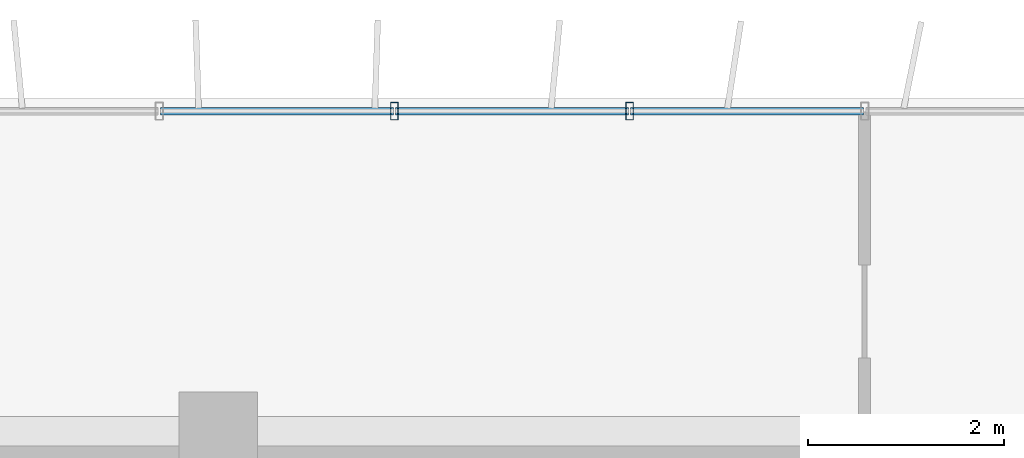
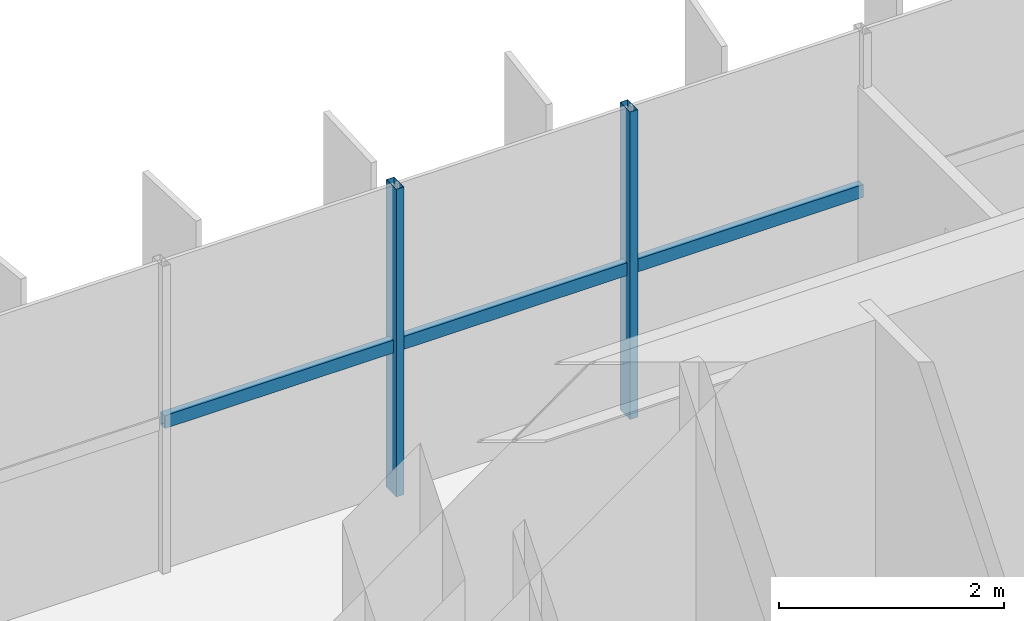
# One storey, part 7 of 22: 5 members, 1 element without a shape of its own.
"""IFC4 building model written with IfcOpenShell, lengths in metres."""

import ifcopenshell
import ifcopenshell.guid

model = None  # the IFC model being written
_history = None  # IfcOwnerHistory: only IFC2X3 demands one
_inside = {}  # id of a spatial element -> (the spatial element, [elements in it])
_under = {}  # id of a project, library or spatial element -> (it, [spatial elements below it])
_declared = {}  # id of a project -> (the project, [libraries it declares])
_typed = {}  # id of a type object -> (the type object, [elements of that type])
_made_of = {}  # id of a material, layer set ... -> (it, [elements and type objects made of it])


def new_model(schema):
    """Start an empty IFC model of exactly this schema.

    Asked for "IFC4X3", IfcOpenShell would pick the latest addendum, in which some entities
    have other attributes; the version numbers below select the first issue.
    IFC2X3 requires an IfcOwnerHistory on every rooted entity: one is made here for all.
    """
    global model, _history
    if schema == "IFC4X3":
        model = ifcopenshell.file(schema_version=(4, 3, 0, 0))
    else:
        model = ifcopenshell.file(schema=schema)
    _inside.clear()
    _under.clear()
    _declared.clear()
    _typed.clear()
    _made_of.clear()
    _history = None
    if model.schema == "IFC2X3":
        org = make("IfcOrganization", Name="unknown")
        user = make(
            "IfcPersonAndOrganization",
            ThePerson=make("IfcPerson", FamilyName="unknown"),
            TheOrganization=org,
        )
        app = make(
            "IfcApplication",
            ApplicationDeveloper=org,
            Version="unknown",
            ApplicationFullName="unknown",
            ApplicationIdentifier="unknown",
        )
        _history = make(
            "IfcOwnerHistory",
            OwningUser=user,
            OwningApplication=app,
            ChangeAction="ADDED",
            CreationDate=0,
        )
    return model


def make(cls, **values):
    """One entity of the class cls with the attributes given. An attribute that is None is left unset."""
    return model.create_entity(
        cls, **{name: value for name, value in values.items() if value is not None}
    )


def rooted(cls, **values):
    """An entity with a GlobalId (a new one), such as an element, a storey or a relation."""
    return make(cls, GlobalId=ifcopenshell.guid.new(), OwnerHistory=_history, **values)


def si_unit(unit_type, name, prefix=None):
    """IfcSIUnit, for example si_unit("LENGTHUNIT", "METRE", prefix="MILLI")."""
    return make("IfcSIUnit", UnitType=unit_type, Prefix=prefix, Name=name)


def assignment(units):
    """IfcUnitAssignment: the units of a project."""
    return None if units is None else make("IfcUnitAssignment", Units=units)


def point(xyz):
    """IfcCartesianPoint."""
    return None if xyz is None else make("IfcCartesianPoint", Coordinates=xyz)


def direction(xyz):
    """IfcDirection."""
    return None if xyz is None else make("IfcDirection", DirectionRatios=xyz)


def frame(location, z_axis=None, x_axis=None):
    """IfcAxis2Placement3D, a coordinate frame: its origin and axes. An axis left out is left unset."""
    return make(
        "IfcAxis2Placement3D",
        Location=point(location),
        Axis=direction(z_axis),
        RefDirection=direction(x_axis),
    )


def frame_2d(location, x_axis=None):
    """IfcAxis2Placement2D, a coordinate frame in the plane: its origin and x axis."""
    return make(
        "IfcAxis2Placement2D", Location=point(location), RefDirection=direction(x_axis)
    )


def origin():
    """The frame at (0, 0, 0) with its axes left unset."""
    return frame((0.0, 0.0, 0.0))


def origin_2d():
    """The frame at (0, 0) in the plane with its x axis left unset."""
    return frame_2d((0.0, 0.0))


def place(relative_to, where):
    """IfcLocalPlacement: puts the frame where relative to a parent placement (None: the world)."""
    return make(
        "IfcLocalPlacement", PlacementRelTo=relative_to, RelativePlacement=where
    )


def context(
    kind, dimensions, precision=None, world=None, true_north=None, identifier=None
):
    """IfcGeometricRepresentationContext, for example the 3D "Model" context."""
    return make(
        "IfcGeometricRepresentationContext",
        ContextIdentifier=identifier,
        ContextType=kind,
        CoordinateSpaceDimension=dimensions,
        Precision=precision,
        WorldCoordinateSystem=world,
        TrueNorth=true_north,
    )


def subcontext(parent, identifier, kind, view, scale=None):
    """IfcGeometricRepresentationSubContext, for example "Body" below "Model"."""
    return make(
        "IfcGeometricRepresentationSubContext",
        ContextIdentifier=identifier,
        ContextType=kind,
        ParentContext=parent,
        TargetScale=scale,
        TargetView=view,
    )


def project(units=None, contexts=None):
    """IfcProject with its units and contexts."""
    return rooted(
        "IfcProject",
        Name="project",
        RepresentationContexts=contexts,
        UnitsInContext=assignment(units),
    )


def spatial(cls, under=None, at=None, **own):
    """A site, building, storey or space (cls), placed at a placement, below another one or the project."""
    s = rooted(cls, ObjectPlacement=at, **own)
    if under is not None:
        _under.setdefault(under.id(), (under, []))[1].append(s)
    return s


def profile(cls, at=None, kind="AREA", **sizes):
    """A parametric profile (cls). Its sizes go by their IFC names, for example OverallWidth=200.0."""
    return make(cls, ProfileType=kind, Position=at, **sizes)


def hollow_rectangle(**sizes):
    """IfcRectangleHollowProfileDef."""
    return profile("IfcRectangleHollowProfileDef", **sizes)


def extrude(swept, where, along, depth):
    """IfcExtrudedAreaSolid: the profile swept, set in the frame where, extruded along a direction by depth."""
    return make(
        "IfcExtrudedAreaSolid",
        SweptArea=swept,
        Position=where,
        ExtrudedDirection=direction(along),
        Depth=depth,
    )


def shape(context_of_items, identifier, shape_type, items):
    """IfcShapeRepresentation: the items that make up one representation, for example the "Body"."""
    return make(
        "IfcShapeRepresentation",
        ContextOfItems=context_of_items,
        RepresentationIdentifier=identifier,
        RepresentationType=shape_type,
        Items=items,
    )


def source(mapping_origin, context_of_items, identifier, shape_type, items):
    """IfcRepresentationMap: a shape defined once, which mapped items show again and again."""
    return make(
        "IfcRepresentationMap",
        MappingOrigin=mapping_origin,
        MappedRepresentation=shape(context_of_items, identifier, shape_type, items),
    )


def transform(
    local_origin,
    x_axis=None,
    y_axis=None,
    z_axis=None,
    scale=None,
    scale2=None,
    scale3=None,
    uniform=True,
):
    """IfcCartesianTransformationOperator3D, or its non-uniform kind. x_axis, y_axis, z_axis: its Axis1, 2, 3."""
    if uniform:
        return make(
            "IfcCartesianTransformationOperator3D",
            Axis1=direction(x_axis),
            Axis2=direction(y_axis),
            LocalOrigin=point(local_origin),
            Scale=scale,
            Axis3=direction(z_axis),
        )
    return make(
        "IfcCartesianTransformationOperator3DnonUniform",
        Axis1=direction(x_axis),
        Axis2=direction(y_axis),
        LocalOrigin=point(local_origin),
        Scale=scale,
        Axis3=direction(z_axis),
        Scale2=scale2,
        Scale3=scale3,
    )


def mapped(mapping_source, mapping_target):
    """IfcMappedItem: shows the shape of a source again, moved by a transform."""
    return make(
        "IfcMappedItem", MappingSource=mapping_source, MappingTarget=mapping_target
    )


def material(Name=None, Category=None):
    """IfcMaterial."""
    return make("IfcMaterial", Name=Name, Category=Category)


def material_profile(
    of_material, cross_section, Name=None, Category=None, Priority=None
):
    """IfcMaterialProfile: a cross section and its material."""
    return make(
        "IfcMaterialProfile",
        Name=Name,
        Material=of_material,
        Profile=cross_section,
        Priority=Priority,
        Category=Category,
    )


def profile_set(profiles, Name=None, composite=None):
    """IfcMaterialProfileSet."""
    return make(
        "IfcMaterialProfileSet",
        Name=Name,
        MaterialProfiles=profiles,
        CompositeProfile=composite,
    )


def made_of(thing, what):
    """Note that an element or type object is made of a material, layer set ...; save() writes the relation."""
    if what is not None:
        _made_of.setdefault(what.id(), (what, []))[1].append(thing)
    return thing


def type_object(cls, material=None, **own):
    """A type object (cls), such as IfcWallType, which elements share."""
    return made_of(rooted(cls, **own), material)


def element(
    cls,
    number,
    at=None,
    inside=None,
    cuts=None,
    type_object=None,
    material=None,
    context=None,
    identifier="Body",
    shape_type=None,
    held_by="IfcProductDefinitionShape",
    body=None,
    shapes=None,
    **own,
):
    """One element of the class cls, such as IfcWall. Its Tag is "e" and its number.

    at: its placement. inside: the storey or other place that contains it. cuts: it is an
    opening in that element (IfcRelVoidsElement). A single representation is given by context,
    identifier, shape_type and body (its items); several are given by shapes. held_by: the class
    of the entity that holds the representations. save() writes the other relations.
    """
    e = rooted(cls, Tag="e%d" % number, ObjectPlacement=at, **own)
    if body is not None:
        shapes = [shape(context, identifier, shape_type, body)]
    if shapes is not None:
        e.Representation = make(held_by, Representations=shapes)
    if inside is not None:
        _inside.setdefault(inside.id(), (inside, []))[1].append(e)
    if cuts is not None:
        rooted(
            "IfcRelVoidsElement", RelatingBuildingElement=cuts, RelatedOpeningElement=e
        )
    if type_object is not None:
        _typed.setdefault(type_object.id(), (type_object, []))[1].append(e)
    return made_of(e, material)


def aggregate(whole, parts):
    """IfcRelAggregates: a whole, such as a stair, and the parts it consists of."""
    return rooted("IfcRelAggregates", RelatingObject=whole, RelatedObjects=parts)


def save(model, path):
    """Write the relations noted so far, then the file.

    IfcRelAggregates (storeys below a building ...), IfcRelContainedInSpatialStructure (elements
    in a storey), IfcRelDefinesByType, IfcRelAssociatesMaterial and IfcRelDeclares: one each for
    every whole, place, type object, material and project.
    """
    for whole, parts in _under.values():
        aggregate(whole, parts)
    for where, things in _inside.values():
        rooted(
            "IfcRelContainedInSpatialStructure",
            RelatedElements=things,
            RelatingStructure=where,
        )
    for kind, things in _typed.values():
        rooted("IfcRelDefinesByType", RelatedObjects=things, RelatingType=kind)
    for what, things in _made_of.values():
        rooted("IfcRelAssociatesMaterial", RelatedObjects=things, RelatingMaterial=what)
    for by, libraries in _declared.values():
        rooted("IfcRelDeclares", RelatingContext=by, RelatedDefinitions=libraries)
    model.write(path)


model = new_model("IFC4")

# Units and contexts
model_context = context("Model", 3, precision=1e-05, world=origin(), true_north=direction((0.0, 1.0)))
body_context = subcontext(model_context, "Body", "Model", "MODEL_VIEW")
ifc_project = project(units=[si_unit("LENGTHUNIT", "METRE"), si_unit("AREAUNIT", "SQUARE_METRE"), si_unit("VOLUMEUNIT", "CUBIC_METRE"), si_unit("PLANEANGLEUNIT", "RADIAN"), si_unit("MASSUNIT", "GRAM", prefix="KILO")], contexts=[model_context])

# Site, building, storey
site_placement = place(None, origin())
site = spatial("IfcSite", under=ifc_project, at=site_placement, CompositionType="ELEMENT")
building_placement = place(site_placement, origin())
building = spatial("IfcBuilding", under=site, at=building_placement, Name="Trelvane Seafront Commons", CompositionType="ELEMENT")
storey_placement = place(building_placement, frame((0.0, 0.0, 92.5)))
storey = spatial("IfcBuildingStorey", under=building, at=storey_placement, Name="L23", CompositionType="ELEMENT", Elevation=92.5)

# Curtain wall, members
ifc_material = material(Name="Anodised pale-silver aluminium", Category="aluminium")
curtain_wall_type = type_object("IfcCurtainWallType", Name="ARCH-CW4-SKYLOBBY", PredefinedType="NOTDEFINED", material=ifc_material)
curtain_wall_placement = place(storey_placement, origin())
curtain_wall = element("IfcCurtainWall", 1, at=curtain_wall_placement, inside=storey, type_object=curtain_wall_type, Name="CW-L23-0048", PredefinedType="NOTDEFINED")
ifc_material_profile_1 = material_profile(ifc_material, hollow_rectangle(XDim=0.074951171875, YDim=0.139892578125, WallThickness=0.00390625, at=origin_2d()), Name="TRAN-75x140x4")
ifc_profile_set_1 = profile_set([ifc_material_profile_1], Name="Anodised pale-silver aluminium")
member_type_1 = type_object("IfcMemberType", Name="ARCH-CW-TRAN-140", PredefinedType="USERDEFINED", material=ifc_profile_set_1)
shared_shape_1 = source(origin(), body_context, "Body", "SweptSolid", [
    extrude(hollow_rectangle(XDim=0.074951171875, YDim=0.139892578125, WallThickness=0.00390625, at=origin_2d()), origin(), (0.0, 0.0, 1.0), 2.3759765625),
])
member_1_placement = place(storey_placement, frame((30.011962890625, 48.3701171875, 1.60302734375), z_axis=(1.0, 0.0, 0.0), x_axis=(0.0, 1.0, 0.0)))
member_1 = element("IfcMember", 2, at=member_1_placement, type_object=member_type_1, Name="CW-L23-0048-T06", ObjectType="TRANSOM", PredefinedType="USERDEFINED", context=body_context, shape_type="MappedRepresentation", body=[
    mapped(shared_shape_1, transform((0.0, 0.0, 0.0), x_axis=(1.0, 0.0, 0.0), y_axis=(0.0, 1.0, 0.0), z_axis=(0.0, 0.0, 1.0), scale=1.0)),
])
member_2_placement = place(storey_placement, frame((32.412109375, 48.3701171875, 1.60302734375), z_axis=(1.0, 0.0, 0.0), x_axis=(0.0, 1.0, 0.0)))
member_2 = element("IfcMember", 3, at=member_2_placement, type_object=member_type_1, Name="CW-L23-0048-T07", ObjectType="TRANSOM", PredefinedType="USERDEFINED", context=body_context, shape_type="MappedRepresentation", body=[
    mapped(shared_shape_1, transform((0.0, 0.0, 0.0), x_axis=(1.0, 0.0, 0.0), y_axis=(0.0, 1.0, 0.0), z_axis=(0.0, 0.0, 1.0), scale=1.0)),
])
member_3_placement = place(storey_placement, frame((34.81201171875, 48.3701171875, 1.60302734375), z_axis=(1.0, 0.0, 0.0), x_axis=(0.0, 1.0, 0.0)))
member_3 = element("IfcMember", 4, at=member_3_placement, type_object=member_type_1, Name="CW-L23-0048-T08", ObjectType="TRANSOM", PredefinedType="USERDEFINED", context=body_context, shape_type="MappedRepresentation", body=[
    mapped(shared_shape_1, transform((0.0, 0.0, 0.0), x_axis=(1.0, 0.0, 0.0), y_axis=(0.0, 1.0, 0.0), z_axis=(0.0, 0.0, 1.0), scale=1.0)),
])
ifc_material_profile_2 = material_profile(ifc_material, hollow_rectangle(XDim=0.080078125, YDim=0.179931640625, WallThickness=0.00439453125, at=origin_2d()), Name="MULL-80x180x4.5")
ifc_profile_set_2 = profile_set([ifc_material_profile_2], Name="Anodised pale-silver aluminium")
member_type_2 = type_object("IfcMemberType", Name="ARCH-CW-MULL-180", PredefinedType="MULLION", material=ifc_profile_set_2)
shared_shape_2 = source(origin(), body_context, "Body", "SweptSolid", [
    extrude(hollow_rectangle(XDim=0.080078125, YDim=0.179931640625, WallThickness=0.00439453125, at=origin_2d()), origin(), (0.0, 0.0, 1.0), 3.340087890625),
])
member_4_placement = place(storey_placement, frame((32.39990234375, 48.3701171875, 0.0), z_axis=(0.0, 0.0, 1.0), x_axis=(1.0, 0.0, 0.0)))
member_4 = element("IfcMember", 5, at=member_4_placement, type_object=member_type_2, Name="CW-L23-0048-M07", PredefinedType="MULLION", context=body_context, shape_type="MappedRepresentation", body=[
    mapped(shared_shape_2, transform((0.0, 0.0, 0.0), x_axis=(1.0, 0.0, 0.0), y_axis=(0.0, 1.0, 0.0), z_axis=(0.0, 0.0, 1.0), scale=1.0)),
])
member_5_placement = place(storey_placement, frame((34.800048828125, 48.3701171875, 0.0), z_axis=(0.0, 0.0, 1.0), x_axis=(1.0, 0.0, 0.0)))
member_5 = element("IfcMember", 6, at=member_5_placement, type_object=member_type_2, Name="CW-L23-0048-M08", PredefinedType="MULLION", context=body_context, shape_type="MappedRepresentation", body=[
    mapped(shared_shape_2, transform((0.0, 0.0, 0.0), x_axis=(1.0, 0.0, 0.0), y_axis=(0.0, 1.0, 0.0), z_axis=(0.0, 0.0, 1.0), scale=1.0)),
])
aggregate(curtain_wall, [member_4, member_5, member_1, member_2, member_3])

save(model, "model.ifc")
